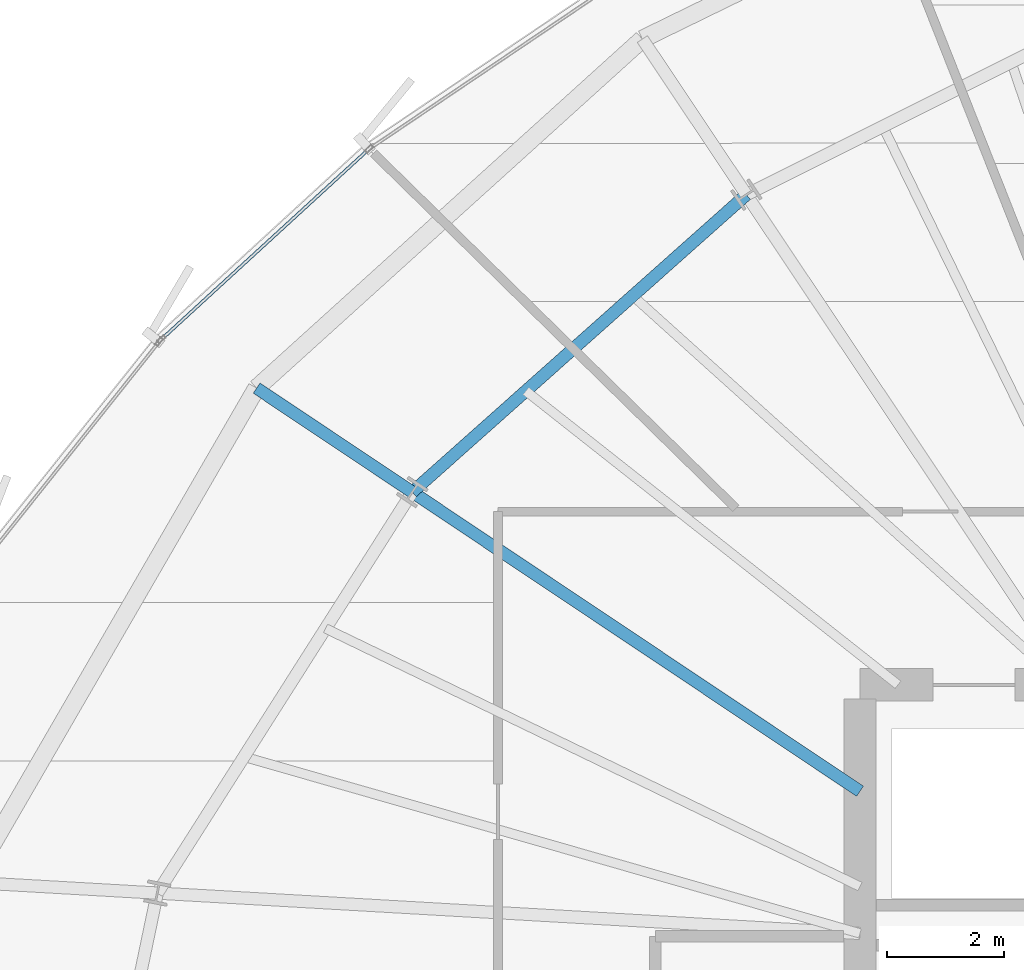
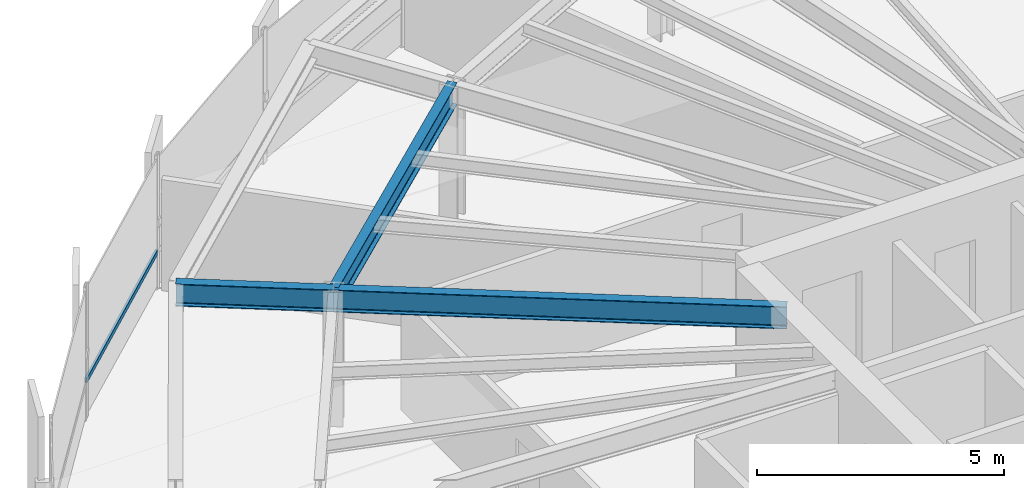
# One storey, part 18 of 35: 3 beams, 1 member, 1 element without a shape of its own.
"""IFC4 building model written with IfcOpenShell, lengths in metres."""

from ifc_helpers import new_model, si_unit, direction, frame, origin, origin_2d, place, context, subcontext, project, spatial, hollow_rectangle, i_section, extrude, source, transform, mapped, material, layer, layer_set, material_profile, profile_set, type_object, element, aggregate, save


model = new_model("IFC4")

# Units and contexts
model_context = context("Model", 3, precision=1e-05, world=origin(), true_north=direction((0.0, 1.0)))
body_context = subcontext(model_context, "Body", "Model", "MODEL_VIEW")
ifc_project = project(units=[si_unit("LENGTHUNIT", "METRE"), si_unit("AREAUNIT", "SQUARE_METRE"), si_unit("VOLUMEUNIT", "CUBIC_METRE"), si_unit("PLANEANGLEUNIT", "RADIAN"), si_unit("MASSUNIT", "GRAM", prefix="KILO"), si_unit("THERMODYNAMICTEMPERATUREUNIT", "KELVIN")], contexts=[model_context])

# Site, building, storey
site_placement = place(None, origin())
site = spatial("IfcSite", under=ifc_project, at=site_placement, CompositionType="ELEMENT")
building_placement = place(site_placement, origin())
building = spatial("IfcBuilding", under=site, at=building_placement, Name="Kethvar Cultural Tower", CompositionType="ELEMENT")
storey_placement = place(building_placement, frame((0.0, 0.0, 121.60009765625)))
storey = spatial("IfcBuildingStorey", under=building, at=storey_placement, Name="L30", CompositionType="ELEMENT", Elevation=121.60009765625)

# Beams
ifc_material_1 = material(Name="Steel S355J2", Category="steel")
ifc_material_profile_1 = material_profile(ifc_material_1, i_section(OverallWidth=0.2099609375, OverallDepth=0.550048828125, WebThickness=0.010986328125, FlangeThickness=0.01708984375, FilletRadius=0.02392578125, at=origin_2d()), Name="Steel S355J2 — IPE550")
ifc_profile_set_1 = profile_set([ifc_material_profile_1], Name="Steel S355J2 — IPE550")
beam_type = type_object("IfcBeamType", Name="BM-IPE550", PredefinedType="BEAM", material=ifc_profile_set_1)
shared_shape_1 = source(origin(), body_context, "Body", "SweptSolid", [
    extrude(i_section(OverallWidth=0.2099609375, OverallDepth=0.550048828125, WebThickness=0.010986328125, FlangeThickness=0.01708984375, FilletRadius=0.02392578125, at=origin_2d()), origin(), (0.0, 0.0, 1.0), 3.199951171875),
])
beam_1_placement = place(storey_placement, frame((30.345947265625, 38.794189453125, 3.072998046875), z_axis=(-0.831462943996, 0.555580212716, 0.0), x_axis=(-0.555580212716, -0.831462943996, 0.0)))
element("IfcBeam", 1, at=beam_1_placement, inside=storey, type_object=beam_type, Name="L30 Perimeter Cantilever Beam RC-07", PredefinedType="BEAM", context=body_context, shape_type="MappedRepresentation", body=[
    mapped(shared_shape_1, transform((0.0, 0.0, 0.0), scale=1.0)),
])
shared_shape_2 = source(origin(), body_context, "Body", "SweptSolid", [
    extrude(i_section(OverallWidth=0.2099609375, OverallDepth=0.550048828125, WebThickness=0.010986328125, FlangeThickness=0.01708984375, FilletRadius=0.02392578125, at=origin_2d()), origin(), (0.0, 0.0, 1.0), 9.205322265625),
])
beam_2_placement = place(storey_placement, frame((38.0, 33.679931640625, 3.072998046875), z_axis=(-0.831470451236, 0.555568977465, 0.0), x_axis=(-0.555568977465, -0.831470451236, 0.0)))
element("IfcBeam", 2, at=beam_2_placement, inside=storey, type_object=beam_type, Name="L30 Primary Radial Beam RB-07", PredefinedType="BEAM", context=body_context, shape_type="MappedRepresentation", body=[
    mapped(shared_shape_2, transform((0.0, 0.0, 0.0), scale=1.0)),
])
shared_shape_3 = source(origin(), body_context, "Body", "SweptSolid", [
    extrude(i_section(OverallWidth=0.2099609375, OverallDepth=0.550048828125, WebThickness=0.010986328125, FlangeThickness=0.01708984375, FilletRadius=0.02392578125, at=origin_2d()), origin(), (0.0, 0.0, 1.0), 7.64599609375),
])
beam_3_placement = place(storey_placement, frame((36.0576171875, 43.877197265625, 3.072998046875), z_axis=(-0.747021617367, -0.66479974668, 0.0), x_axis=(0.66479974668, -0.747021617367, 0.0)))
element("IfcBeam", 3, at=beam_3_placement, inside=storey, type_object=beam_type, Name="L30 Column Ring Tie Beam CR-06", PredefinedType="BEAM", context=body_context, shape_type="MappedRepresentation", body=[
    mapped(shared_shape_3, transform((0.0, 0.0, 0.0), scale=1.0)),
])

# Curtain wall, member
ifc_material_2 = material(Name="Aluminium 6063-T6", Category="aluminium")
ifc_layer = layer(ifc_material_2, 0.179931640625, Name="Aluminium 6063-T6", Category="aluminium")
ifc_layer_set = layer_set([ifc_layer], Name="Aluminium 6063-T6 (180 mm)")
curtain_wall_type = type_object("IfcCurtainWallType", Name="CW-SYS-03-Z2", PredefinedType="NOTDEFINED", material=ifc_layer_set)
curtain_wall_placement = place(storey_placement, origin())
curtain_wall = element("IfcCurtainWall", 4, at=curtain_wall_placement, inside=storey, type_object=curtain_wall_type, Name="L30 Curtain Wall Run 02", PredefinedType="NOTDEFINED")
ifc_material_profile_2 = material_profile(ifc_material_2, hollow_rectangle(XDim=0.054931640625, YDim=0.1201171875, WallThickness=0.00390625, at=origin_2d()), Name="Aluminium 6063-T6 — RHS120x55x4")
ifc_profile_set_2 = profile_set([ifc_material_profile_2], Name="Aluminium 6063-T6 — RHS120x55x4")
member_type = type_object("IfcMemberType", Name="CW-SYS-03-Z2-TRN", PredefinedType="USERDEFINED", material=ifc_profile_set_2)
shared_shape_4 = source(origin(), body_context, "Body", "SweptSolid", [
    extrude(hollow_rectangle(XDim=0.054931640625, YDim=0.1201171875, WallThickness=0.00390625, at=origin_2d()), origin(), (0.0, 0.0, 1.0), 4.7685546875),
])
member_placement = place(storey_placement, frame((29.577392578125, 44.631591796875, 0.949951171875), z_axis=(-0.737060622539, -0.675826633614, 0.0), x_axis=(0.675826633614, -0.737060622539, 0.0)))
member = element("IfcMember", 5, at=member_placement, type_object=member_type, Name="CW-L30-R02 Transom 6", ObjectType="TRANSOM", PredefinedType="USERDEFINED", context=body_context, shape_type="MappedRepresentation", body=[
    mapped(shared_shape_4, transform((0.0, 0.0, 0.0), scale=1.0)),
])
aggregate(curtain_wall, [member])

save(model, "model.ifc")
